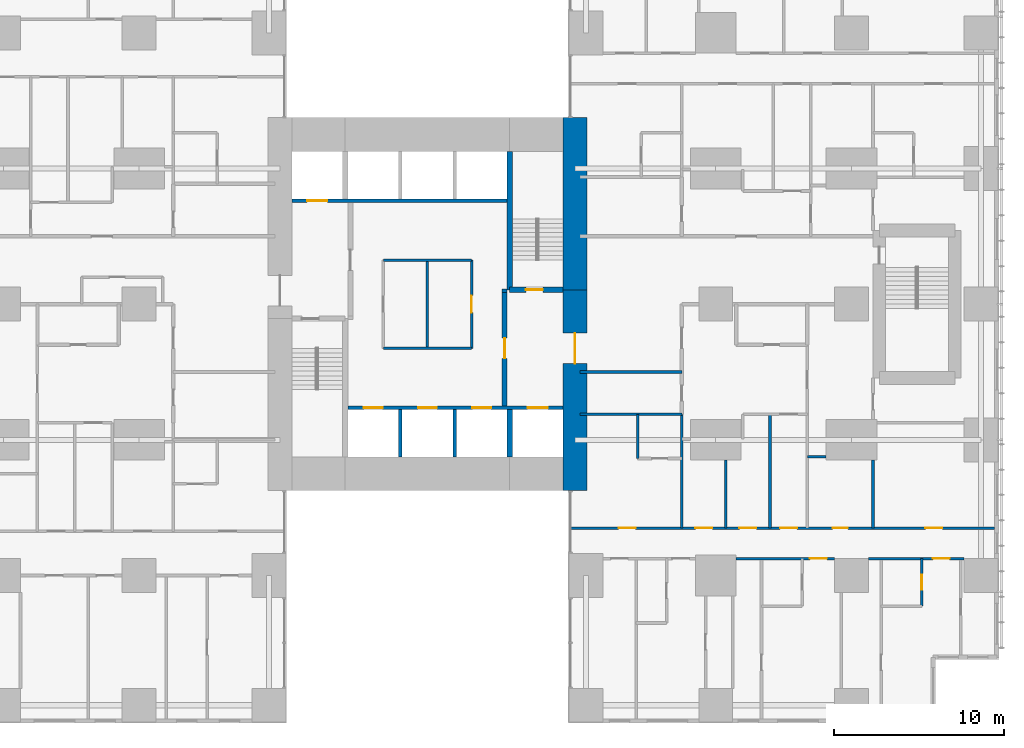
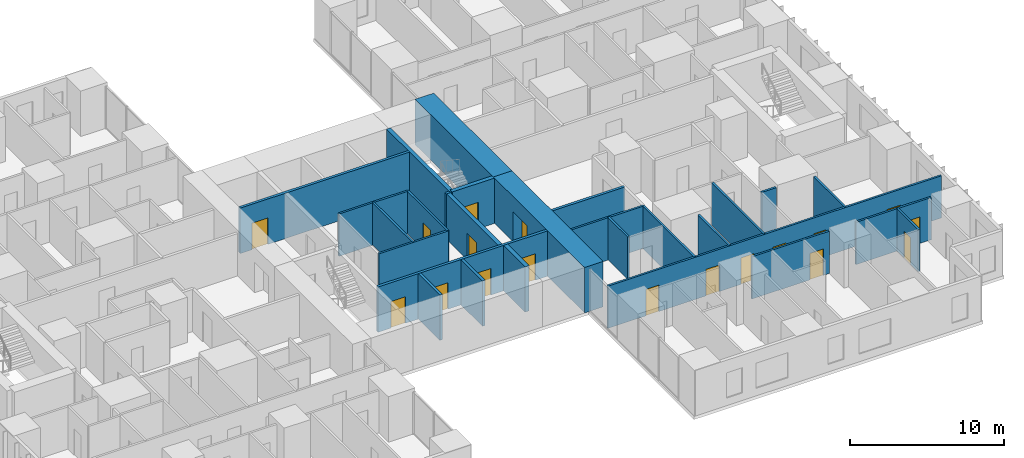
# One storey, part 15 of 20: 27 walls, 18 doors, 18 openings.
"""IFC4 building model written with IfcOpenShell, lengths in metres."""

from ifc_helpers import new_model, si_unit, direction, frame, frame_2d, origin, place, context, subcontext, project, spatial, rectangle, extrude, material, layer, layer_set, type_object, element, fill, save


model = new_model("IFC4")

# Units and contexts
model_context = context("Model", 3, precision=1e-05, world=origin(), true_north=direction((0.0, 1.0)))
body_context = subcontext(model_context, "Body", "Model", "MODEL_VIEW")
ifc_project = project(units=[si_unit("LENGTHUNIT", "METRE"), si_unit("AREAUNIT", "SQUARE_METRE"), si_unit("VOLUMEUNIT", "CUBIC_METRE"), si_unit("PLANEANGLEUNIT", "RADIAN"), si_unit("MASSUNIT", "GRAM", prefix="KILO")], contexts=[model_context])

# Site, building, storey
site_placement = place(None, origin())
site = spatial("IfcSite", under=ifc_project, at=site_placement, CompositionType="ELEMENT")
building_placement = place(site_placement, origin())
building = spatial("IfcBuilding", under=site, at=building_placement, Name="Cleftline Residences", CompositionType="ELEMENT")
storey_placement = place(building_placement, frame((0.0, 0.0, 54.800048828125)))
storey = spatial("IfcBuildingStorey", under=building, at=storey_placement, Name="L13", CompositionType="ELEMENT", Elevation=54.800048828125)

# Wall, opening, door
ifc_material_1 = material(Name="Concrete B70", Category="concrete")
ifc_layer_1 = layer(ifc_material_1, 1.39990234375)
ifc_layer_set_1 = layer_set([ifc_layer_1], Name="CORE WALL 1400")
wall_type_1 = type_object("IfcWallType", Name="CORE WALL 1400", PredefinedType="SHEAR", material=ifc_layer_set_1)
wall_1_placement = place(storey_placement, frame((41.699951171875, 13.0, 0.0), z_axis=(0.0, 0.0, 1.0), x_axis=(0.0, 1.0, 0.0)))
wall_1 = element("IfcWall", 1, at=wall_1_placement, inside=storey, type_object=wall_type_1, Name="Core wall E", PredefinedType="SHEAR", context=body_context, shape_type="SweptSolid", body=[
    extrude(rectangle(XDim=11.85009765625, YDim=1.39990234375, at=frame_2d((5.925048828125, 0.0))), origin(), (0.0, 0.0, 1.0), 3.599853515625),
])
opening_1_placement = place(wall_1_placement, frame((7.5, 0.0, 0.0)))
opening_1 = element("IfcOpeningElement", 2, at=opening_1_placement, cuts=wall_1, Name="Opening D7", PredefinedType="OPENING", context=body_context, shape_type="SweptSolid", body=[
    extrude(rectangle(XDim=1.800048828125, YDim=2.39990234375, at=frame_2d((0.89990234375, 1.199951171875))), frame((0.0, 0.7099609375, 0.0), z_axis=(0.0, -1.0, 0.0), x_axis=(1.0, 0.0, 0.0)), (0.0, 0.0, 1.0), 1.419921875),
])
ifc_material_2 = material(Name="Steel", Category="steel")
door_type_1 = type_object("IfcDoorType", Name="WING DOOR 1800X2400", OperationType="DOUBLE_DOOR_DOUBLE_SWING", PredefinedType="DOOR", material=ifc_material_2)
door_1_placement = place(opening_1_placement, origin())
door_1 = element("IfcDoor", 3, at=door_1_placement, inside=storey, type_object=door_type_1, Name="East wing door", OperationType="DOUBLE_DOOR_DOUBLE_SWING", OverallHeight=2.39990234375, OverallWidth=1.800048828125, PredefinedType="DOOR", context=body_context, shape_type="SweptSolid", body=[
    extrude(rectangle(XDim=1.800048828125, YDim=2.39990234375, at=frame_2d((0.89990234375, 1.199951171875))), frame((0.0, 0.02490234375, 0.0), z_axis=(0.0, -1.0, 0.0), x_axis=(1.0, 0.0, 0.0)), (0.0, 0.0, 1.0), 0.050048828125),
])
fill(opening_1, door_1)

# Walls
wall_2_placement = place(storey_placement, frame((41.699951171875, 24.85009765625, 0.0), z_axis=(0.0, 0.0, 1.0), x_axis=(0.0, 1.0, 0.0)))
element("IfcWall", 4, at=wall_2_placement, inside=storey, type_object=wall_type_1, Name="Core wall E1", PredefinedType="SHEAR", context=body_context, shape_type="SweptSolid", body=[
    extrude(rectangle(XDim=10.14990234375, YDim=1.39990234375, at=frame_2d((5.074951171875, 0.0))), origin(), (0.0, 0.0, 1.0), 3.599853515625),
])
ifc_material_3 = material(Name="Concrete B70", Category="concrete")
ifc_layer_2 = layer(ifc_material_3, 0.300048828125)
ifc_layer_set_2 = layer_set([ifc_layer_2], Name="CORE WALL 300")
wall_type_2 = type_object("IfcWallType", Name="CORE WALL 300", PredefinedType="SHEAR", material=ifc_layer_set_2)
wall_3_placement = place(storey_placement, frame((37.85009765625, 24.85009765625, 0.0), z_axis=(0.0, 0.0, 1.0), x_axis=(0.0, 1.0, 0.0)))
element("IfcWall", 5, at=wall_3_placement, inside=storey, type_object=wall_type_2, Name="Core wall SB-W", PredefinedType="SHEAR", context=body_context, shape_type="SweptSolid", body=[
    extrude(rectangle(XDim=8.14990234375, YDim=0.300048828125, at=frame_2d((4.074951171875, 0.0))), origin(), (0.0, 0.0, 1.0), 3.599853515625),
])

# Wall, opening, door
wall_4_placement = place(storey_placement, frame((37.85009765625, 24.85009765625, 0.0), z_axis=(0.0, 0.0, 1.0), x_axis=(1.0, 0.0, 0.0)))
wall_4 = element("IfcWall", 6, at=wall_4_placement, inside=storey, type_object=wall_type_2, Name="Core wall SB-S", PredefinedType="SHEAR", context=body_context, shape_type="SweptSolid", body=[
    extrude(rectangle(XDim=3.14990234375, YDim=0.300048828125, at=frame_2d((1.574951171875, 0.0))), origin(), (0.0, 0.0, 1.0), 3.599853515625),
])
opening_2_placement = place(wall_4_placement, frame((0.949951171875, 0.0, 0.0)))
opening_2 = element("IfcOpeningElement", 7, at=opening_2_placement, cuts=wall_4, Name="Opening D5", PredefinedType="OPENING", context=body_context, shape_type="SweptSolid", body=[
    extrude(rectangle(XDim=1.0, YDim=2.10009765625, at=frame_2d((0.5, 1.050048828125))), frame((0.0, 0.159912109375, 0.0), z_axis=(0.0, -1.0, 0.0), x_axis=(1.0, 0.0, 0.0)), (0.0, 0.0, 1.0), 0.320068359375),
])
ifc_material_4 = material(Name="Steel", Category="steel")
door_type_2 = type_object("IfcDoorType", Name="STAIR DOOR 1000X2100", OperationType="SINGLE_SWING_LEFT", PredefinedType="DOOR", material=ifc_material_4)
door_2_placement = place(opening_2_placement, origin())
door_2 = element("IfcDoor", 8, at=door_2_placement, inside=storey, type_object=door_type_2, Name="Stair B door", OperationType="SINGLE_SWING_RIGHT", OverallHeight=2.10009765625, OverallWidth=1.0, PredefinedType="DOOR", context=body_context, shape_type="SweptSolid", body=[
    extrude(rectangle(XDim=1.0, YDim=2.10009765625, at=frame_2d((0.5, 1.050048828125))), frame((0.0, 0.02490234375, 0.0), z_axis=(0.0, -1.0, 0.0), x_axis=(1.0, 0.0, 0.0)), (0.0, 0.0, 1.0), 0.050048828125),
])
fill(opening_2, door_2)

# Walls
wall_5_placement = place(storey_placement, frame((37.85009765625, 15.0, 0.0), z_axis=(0.0, 0.0, 1.0), x_axis=(0.0, 1.0, 0.0)))
element("IfcWall", 9, at=wall_5_placement, inside=storey, type_object=wall_type_2, Name="Lift shaft wall", PredefinedType="SHEAR", context=body_context, shape_type="SweptSolid", body=[
    extrude(rectangle(XDim=2.800048828125, YDim=0.300048828125, at=frame_2d((1.39990234375, 0.0))), origin(), (0.0, 0.0, 1.0), 3.599853515625),
])
ifc_material_5 = material(Name="Concrete blockwork, fire rated", Category="masonry")
ifc_layer_3 = layer(ifc_material_5, 0.199951171875)
ifc_layer_set_3 = layer_set([ifc_layer_3], Name="FIRE WALL 200")
wall_type_3 = type_object("IfcWallType", Name="FIRE WALL 200", PredefinedType="PARTITIONING", material=ifc_layer_set_3)
wall_6_placement = place(storey_placement, frame((42.0, 20.0, 0.0), z_axis=(0.0, 0.0, 1.0), x_axis=(1.0, 0.0, 0.0)))
element("IfcWall", 10, at=wall_6_placement, inside=storey, type_object=wall_type_3, Name="Fire separating wall", PredefinedType="PARTITIONING", context=body_context, shape_type="SweptSolid", body=[
    extrude(rectangle(XDim=6.0, YDim=0.199951171875, at=frame_2d((3.0, 0.0))), origin(), (0.0, 0.0, 1.0), 3.349853515625),
])
wall_7_placement = place(storey_placement, frame((37.39990234375, 24.800048828125, 0.0), z_axis=(0.0, 0.0, 1.0), x_axis=(1.0, 0.0, 0.0)))
element("IfcWall", 11, at=wall_7_placement, inside=storey, type_object=wall_type_3, Name="Fire separating wall", PredefinedType="PARTITIONING", context=body_context, shape_type="SweptSolid", body=[
    extrude(rectangle(XDim=0.300048828125, YDim=0.199951171875, at=frame_2d((0.14990234375, 0.0))), origin(), (0.0, 0.0, 1.0), 3.599853515625),
])

# Wall, opening, door
ifc_material_6 = material(Name="Gypsum board on steel studs", Category="steel")
ifc_layer_4 = layer(ifc_material_6, 0.14990234375)
ifc_layer_set_4 = layer_set([ifc_layer_4], Name="PARTITION 150")
wall_type_4 = type_object("IfcWallType", Name="PARTITION 150", PredefinedType="PARTITIONING", material=ifc_layer_set_4)
wall_8_placement = place(storey_placement, frame((51.199951171875, 9.0, 0.0), z_axis=(0.0, 0.0, 1.0), x_axis=(1.0, 0.0, 0.0)))
wall_8 = element("IfcWall", 12, at=wall_8_placement, inside=storey, type_object=wall_type_4, Name="Partition", PredefinedType="PARTITIONING", context=body_context, shape_type="SweptSolid", body=[
    extrude(rectangle(XDim=5.800048828125, YDim=0.14990234375, at=frame_2d((2.89990234375, 0.0))), origin(), (0.0, 0.0, 1.0), 3.349853515625),
])
opening_3_placement = place(wall_8_placement, frame((4.35009765625, 0.0, 0.0)))
opening_3 = element("IfcOpeningElement", 13, at=opening_3_placement, cuts=wall_8, Name="Opening D2", PredefinedType="OPENING", context=body_context, shape_type="SweptSolid", body=[
    extrude(rectangle(XDim=1.0, YDim=2.10009765625, at=frame_2d((0.5, 1.050048828125))), frame((0.0, 0.0849609375, 0.0), z_axis=(0.0, -1.0, 0.0), x_axis=(1.0, 0.0, 0.0)), (0.0, 0.0, 1.0), 0.169921875),
])
ifc_material_7 = material(Name="Timber veneer on solid core", Category="wood")
door_type_3 = type_object("IfcDoorType", Name="DOOR 1000X2100", OperationType="SINGLE_SWING_LEFT", PredefinedType="DOOR", material=ifc_material_7)
door_3_placement = place(opening_3_placement, origin())
door_3 = element("IfcDoor", 14, at=door_3_placement, inside=storey, type_object=door_type_3, Name="Door to bedroom 3", OperationType="SINGLE_SWING_LEFT", OverallHeight=2.10009765625, OverallWidth=1.0, PredefinedType="DOOR", context=body_context, shape_type="SweptSolid", body=[
    extrude(rectangle(XDim=1.0, YDim=2.10009765625, at=frame_2d((0.5, 1.050048828125))), frame((0.0, 0.02490234375, 0.0), z_axis=(0.0, -1.0, 0.0), x_axis=(1.0, 0.0, 0.0)), (0.0, 0.0, 1.0), 0.050048828125),
])
fill(opening_3, door_3)

wall_9_placement = place(storey_placement, frame((59.0, 9.0, 0.0), z_axis=(0.0, 0.0, 1.0), x_axis=(1.0, 0.0, 0.0)))
wall_9 = element("IfcWall", 15, at=wall_9_placement, inside=storey, type_object=wall_type_4, Name="Partition", PredefinedType="PARTITIONING", context=body_context, shape_type="SweptSolid", body=[
    extrude(rectangle(XDim=5.64990234375, YDim=0.14990234375, at=frame_2d((2.824951171875, 0.0))), origin(), (0.0, 0.0, 1.0), 3.349853515625),
])
opening_4_placement = place(wall_9_placement, frame((3.800048828125, 0.0, 0.0)))
opening_4 = element("IfcOpeningElement", 16, at=opening_4_placement, cuts=wall_9, Name="Opening D2", PredefinedType="OPENING", context=body_context, shape_type="SweptSolid", body=[
    extrude(rectangle(XDim=1.0, YDim=2.10009765625, at=frame_2d((0.5, 1.050048828125))), frame((0.0, 0.0849609375, 0.0), z_axis=(0.0, -1.0, 0.0), x_axis=(1.0, 0.0, 0.0)), (0.0, 0.0, 1.0), 0.169921875),
])
door_4_placement = place(opening_4_placement, origin())
door_4 = element("IfcDoor", 17, at=door_4_placement, inside=storey, type_object=door_type_3, Name="Door to bedroom 2", OperationType="SINGLE_SWING_LEFT", OverallHeight=2.10009765625, OverallWidth=1.0, PredefinedType="DOOR", context=body_context, shape_type="SweptSolid", body=[
    extrude(rectangle(XDim=1.0, YDim=2.10009765625, at=frame_2d((0.5, 1.050048828125))), frame((0.0, 0.02490234375, 0.0), z_axis=(0.0, -1.0, 0.0), x_axis=(1.0, 0.0, 0.0)), (0.0, 0.0, 1.0), 0.050048828125),
])
fill(opening_4, door_4)

# Wall, openings, doors
wall_10_placement = place(storey_placement, frame((41.43896484375, 10.800048828125, 0.0), z_axis=(0.0, 0.0, 1.0), x_axis=(1.0, 0.0, 0.0)))
wall_10 = element("IfcWall", 18, at=wall_10_placement, inside=storey, type_object=wall_type_4, Name="Partition", PredefinedType="PARTITIONING", context=body_context, shape_type="SweptSolid", body=[
    extrude(rectangle(XDim=25.010986328125, YDim=0.14990234375, at=frame_2d((12.50537109375, 0.0))), origin(), (0.0, 0.0, 1.0), 3.349853515625),
])
opening_5_placement = place(wall_10_placement, frame((12.361083984375, 0.0, 0.0)))
opening_5 = element("IfcOpeningElement", 19, at=opening_5_placement, cuts=wall_10, Name="Opening D2", PredefinedType="OPENING", context=body_context, shape_type="SweptSolid", body=[
    extrude(rectangle(XDim=1.0, YDim=2.10009765625, at=frame_2d((0.5, 1.050048828125))), frame((0.0, 0.0849609375, 0.0), z_axis=(0.0, -1.0, 0.0), x_axis=(1.0, 0.0, 0.0)), (0.0, 0.0, 1.0), 0.169921875),
])
opening_6_placement = place(wall_10_placement, frame((20.923583984375, 0.0, 0.0)))
opening_6 = element("IfcOpeningElement", 20, at=opening_6_placement, cuts=wall_10, Name="Opening D2", PredefinedType="OPENING", context=body_context, shape_type="SweptSolid", body=[
    extrude(rectangle(XDim=1.0, YDim=2.10009765625, at=frame_2d((0.5, 1.050048828125))), frame((0.0, 0.0849609375, 0.0), z_axis=(0.0, -1.0, 0.0), x_axis=(1.0, 0.0, 0.0)), (0.0, 0.0, 1.0), 0.169921875),
])
opening_7_placement = place(wall_10_placement, frame((15.448486328125, 0.0, 0.0)))
opening_7 = element("IfcOpeningElement", 21, at=opening_7_placement, cuts=wall_10, Name="Opening D1", PredefinedType="OPENING", context=body_context, shape_type="SweptSolid", body=[
    extrude(rectangle(XDim=0.89990234375, YDim=2.10009765625, at=frame_2d((0.449951171875, 1.050048828125))), frame((0.0, 0.0849609375, 0.0), z_axis=(0.0, -1.0, 0.0), x_axis=(1.0, 0.0, 0.0)), (0.0, 0.0, 1.0), 0.169921875),
])
opening_8_placement = place(wall_10_placement, frame((9.9609375, 0.0, 0.0)))
opening_8 = element("IfcOpeningElement", 22, at=opening_8_placement, cuts=wall_10, Name="Opening D2", PredefinedType="OPENING", context=body_context, shape_type="SweptSolid", body=[
    extrude(rectangle(XDim=1.0, YDim=2.10009765625, at=frame_2d((0.5, 1.050048828125))), frame((0.0, 0.0849609375, 0.0), z_axis=(0.0, -1.0, 0.0), x_axis=(1.0, 0.0, 0.0)), (0.0, 0.0, 1.0), 0.169921875),
])
opening_9_placement = place(wall_10_placement, frame((7.361083984375, 0.0, 0.0)))
opening_9 = element("IfcOpeningElement", 23, at=opening_9_placement, cuts=wall_10, Name="Opening D2", PredefinedType="OPENING", context=body_context, shape_type="SweptSolid", body=[
    extrude(rectangle(XDim=1.0, YDim=2.10009765625, at=frame_2d((0.5, 1.050048828125))), frame((0.0, 0.0849609375, 0.0), z_axis=(0.0, -1.0, 0.0), x_axis=(1.0, 0.0, 0.0)), (0.0, 0.0, 1.0), 0.169921875),
])
opening_10_placement = place(wall_10_placement, frame((2.8359375, 0.0, 0.0)))
opening_10 = element("IfcOpeningElement", 24, at=opening_10_placement, cuts=wall_10, Name="Opening D2", PredefinedType="OPENING", context=body_context, shape_type="SweptSolid", body=[
    extrude(rectangle(XDim=1.0, YDim=2.10009765625, at=frame_2d((0.5, 1.050048828125))), frame((0.0, 0.0849609375, 0.0), z_axis=(0.0, -1.0, 0.0), x_axis=(1.0, 0.0, 0.0)), (0.0, 0.0, 1.0), 0.169921875),
])
door_5_placement = place(opening_5_placement, origin())
door_5 = element("IfcDoor", 25, at=door_5_placement, inside=storey, type_object=door_type_3, Name="Door to residence hall", OperationType="SINGLE_SWING_LEFT", OverallHeight=2.10009765625, OverallWidth=1.0, PredefinedType="DOOR", context=body_context, shape_type="SweptSolid", body=[
    extrude(rectangle(XDim=1.0, YDim=2.10009765625, at=frame_2d((0.5, 1.050048828125))), frame((0.0, 0.02490234375, 0.0), z_axis=(0.0, -1.0, 0.0), x_axis=(1.0, 0.0, 0.0)), (0.0, 0.0, 1.0), 0.050048828125),
])
fill(opening_5, door_5)
door_6_placement = place(opening_6_placement, origin())
door_6 = element("IfcDoor", 26, at=door_6_placement, inside=storey, type_object=door_type_3, Name="Door to sea-view living and dining room", OperationType="SINGLE_SWING_LEFT", OverallHeight=2.10009765625, OverallWidth=1.0, PredefinedType="DOOR", context=body_context, shape_type="SweptSolid", body=[
    extrude(rectangle(XDim=1.0, YDim=2.10009765625, at=frame_2d((0.5, 1.050048828125))), frame((0.0, 0.02490234375, 0.0), z_axis=(0.0, -1.0, 0.0), x_axis=(1.0, 0.0, 0.0)), (0.0, 0.0, 1.0), 0.050048828125),
])
fill(opening_6, door_6)
door_7_placement = place(opening_8_placement, origin())
door_7 = element("IfcDoor", 27, at=door_7_placement, inside=storey, type_object=door_type_3, Name="Door to show kitchen", OperationType="SINGLE_SWING_RIGHT", OverallHeight=2.10009765625, OverallWidth=1.0, PredefinedType="DOOR", context=body_context, shape_type="SweptSolid", body=[
    extrude(rectangle(XDim=1.0, YDim=2.10009765625, at=frame_2d((0.5, 1.050048828125))), frame((0.0, 0.02490234375, 0.0), z_axis=(0.0, -1.0, 0.0), x_axis=(1.0, 0.0, 0.0)), (0.0, 0.0, 1.0), 0.050048828125),
])
fill(opening_8, door_7)
door_8_placement = place(opening_9_placement, origin())
door_8 = element("IfcDoor", 28, at=door_8_placement, inside=storey, type_object=door_type_3, Name="Door to wet kitchen", OperationType="SINGLE_SWING_RIGHT", OverallHeight=2.10009765625, OverallWidth=1.0, PredefinedType="DOOR", context=body_context, shape_type="SweptSolid", body=[
    extrude(rectangle(XDim=1.0, YDim=2.10009765625, at=frame_2d((0.5, 1.050048828125))), frame((0.0, 0.02490234375, 0.0), z_axis=(0.0, -1.0, 0.0), x_axis=(1.0, 0.0, 0.0)), (0.0, 0.0, 1.0), 0.050048828125),
])
fill(opening_9, door_8)
door_9_placement = place(opening_10_placement, origin())
door_9 = element("IfcDoor", 29, at=door_9_placement, inside=storey, type_object=door_type_3, Name="Door to master bedroom", OperationType="SINGLE_SWING_RIGHT", OverallHeight=2.10009765625, OverallWidth=1.0, PredefinedType="DOOR", context=body_context, shape_type="SweptSolid", body=[
    extrude(rectangle(XDim=1.0, YDim=2.10009765625, at=frame_2d((0.5, 1.050048828125))), frame((0.0, 0.02490234375, 0.0), z_axis=(0.0, -1.0, 0.0), x_axis=(1.0, 0.0, 0.0)), (0.0, 0.0, 1.0), 0.050048828125),
])
fill(opening_10, door_9)
ifc_material_8 = material(Name="Timber veneer on solid core", Category="wood")
door_type_4 = type_object("IfcDoorType", Name="DOOR 900X2100", OperationType="SINGLE_SWING_LEFT", PredefinedType="DOOR", material=ifc_material_8)
door_10_placement = place(opening_7_placement, origin())
door_10 = element("IfcDoor", 30, at=door_10_placement, inside=storey, type_object=door_type_4, Name="Door to store room", OperationType="SINGLE_SWING_LEFT", OverallHeight=2.10009765625, OverallWidth=0.89990234375, PredefinedType="DOOR", context=body_context, shape_type="SweptSolid", body=[
    extrude(rectangle(XDim=0.89990234375, YDim=2.10009765625, at=frame_2d((0.449951171875, 1.050048828125))), frame((0.0, 0.02490234375, 0.0), z_axis=(0.0, -1.0, 0.0), x_axis=(1.0, 0.0, 0.0)), (0.0, 0.0, 1.0), 0.050048828125),
])
fill(opening_7, door_10)

# Walls
wall_11_placement = place(storey_placement, frame((55.39990234375, 15.0, 0.0), z_axis=(0.0, 0.0, 1.0), x_axis=(1.0, 0.0, 0.0)))
element("IfcWall", 31, at=wall_11_placement, inside=storey, type_object=wall_type_4, Name="Partition", PredefinedType="PARTITIONING", context=body_context, shape_type="SweptSolid", body=[
    extrude(rectangle(XDim=1.10009765625, YDim=0.14990234375, at=frame_2d((0.550048828125, 0.0))), origin(), (0.0, 0.0, 1.0), 3.349853515625),
])
wall_12_placement = place(storey_placement, frame((42.0, 17.5, 0.0), z_axis=(0.0, 0.0, 1.0), x_axis=(1.0, 0.0, 0.0)))
element("IfcWall", 32, at=wall_12_placement, inside=storey, type_object=wall_type_4, Name="Partition", PredefinedType="PARTITIONING", context=body_context, shape_type="SweptSolid", body=[
    extrude(rectangle(XDim=6.0, YDim=0.14990234375, at=frame_2d((3.0, 0.0))), origin(), (0.0, 0.0, 1.0), 3.349853515625),
])
wall_13_placement = place(storey_placement, frame((45.39990234375, 14.89990234375, 0.0), z_axis=(0.0, 0.0, 1.0), x_axis=(0.0, 1.0, 0.0)))
element("IfcWall", 33, at=wall_13_placement, inside=storey, type_object=wall_type_4, Name="Partition", PredefinedType="PARTITIONING", context=body_context, shape_type="SweptSolid", body=[
    extrude(rectangle(XDim=2.60009765625, YDim=0.14990234375, at=frame_2d((1.300048828125, 0.0))), origin(), (0.0, 0.0, 1.0), 3.349853515625),
])
wall_14_placement = place(storey_placement, frame((48.0, 10.800048828125, 0.0), z_axis=(0.0, 0.0, 1.0), x_axis=(0.0, 1.0, 0.0)))
element("IfcWall", 34, at=wall_14_placement, inside=storey, type_object=wall_type_4, Name="Partition", PredefinedType="PARTITIONING", context=body_context, shape_type="SweptSolid", body=[
    extrude(rectangle(XDim=6.699951171875, YDim=0.14990234375, at=frame_2d((3.35009765625, 0.0))), origin(), (0.0, 0.0, 1.0), 3.349853515625),
])
wall_15_placement = place(storey_placement, frame((50.60009765625, 10.800048828125, 0.0), z_axis=(0.0, 0.0, 1.0), x_axis=(0.0, 1.0, 0.0)))
element("IfcWall", 35, at=wall_15_placement, inside=storey, type_object=wall_type_4, Name="Partition", PredefinedType="PARTITIONING", context=body_context, shape_type="SweptSolid", body=[
    extrude(rectangle(XDim=4.0, YDim=0.14990234375, at=frame_2d((2.0, 0.0))), origin(), (0.0, 0.0, 1.0), 3.349853515625),
])
wall_16_placement = place(storey_placement, frame((53.199951171875, 10.800048828125, 0.0), z_axis=(0.0, 0.0, 1.0), x_axis=(0.0, 1.0, 0.0)))
element("IfcWall", 36, at=wall_16_placement, inside=storey, type_object=wall_type_4, Name="Partition", PredefinedType="PARTITIONING", context=body_context, shape_type="SweptSolid", body=[
    extrude(rectangle(XDim=6.699951171875, YDim=0.14990234375, at=frame_2d((3.35009765625, 0.0))), origin(), (0.0, 0.0, 1.0), 3.349853515625),
])
wall_17_placement = place(storey_placement, frame((59.27490234375, 10.800048828125, 0.0), z_axis=(0.0, 0.0, 1.0), x_axis=(0.0, 1.0, 0.0)))
element("IfcWall", 37, at=wall_17_placement, inside=storey, type_object=wall_type_4, Name="Partition", PredefinedType="PARTITIONING", context=body_context, shape_type="SweptSolid", body=[
    extrude(rectangle(XDim=4.0, YDim=0.14990234375, at=frame_2d((2.0, 0.0))), origin(), (0.0, 0.0, 1.0), 3.349853515625),
])

# Wall, opening, door
wall_18_placement = place(storey_placement, frame((62.14990234375, 6.199951171875, 0.0), z_axis=(0.0, 0.0, 1.0), x_axis=(0.0, 1.0, 0.0)))
wall_18 = element("IfcWall", 38, at=wall_18_placement, inside=storey, type_object=wall_type_4, Name="Partition", PredefinedType="PARTITIONING", context=body_context, shape_type="SweptSolid", body=[
    extrude(rectangle(XDim=2.800048828125, YDim=0.14990234375, at=frame_2d((1.39990234375, 0.0))), origin(), (0.0, 0.0, 1.0), 3.349853515625),
])
opening_11_placement = place(wall_18_placement, frame((0.949951171875, 0.0, 0.0)))
opening_11 = element("IfcOpeningElement", 39, at=opening_11_placement, cuts=wall_18, Name="Opening D1", PredefinedType="OPENING", context=body_context, shape_type="SweptSolid", body=[
    extrude(rectangle(XDim=0.89990234375, YDim=2.10009765625, at=frame_2d((0.449951171875, 1.050048828125))), frame((0.0, 0.0849609375, 0.0), z_axis=(0.0, -1.0, 0.0), x_axis=(1.0, 0.0, 0.0)), (0.0, 0.0, 1.0), 0.169921875),
])
door_11_placement = place(opening_11_placement, origin())
door_11 = element("IfcDoor", 40, at=door_11_placement, inside=storey, type_object=door_type_4, Name="Door to en-suite bathroom 2", OperationType="SINGLE_SWING_LEFT", OverallHeight=2.10009765625, OverallWidth=0.89990234375, PredefinedType="DOOR", context=body_context, shape_type="SweptSolid", body=[
    extrude(rectangle(XDim=0.89990234375, YDim=2.10009765625, at=frame_2d((0.449951171875, 1.050048828125))), frame((0.0, 0.02490234375, 0.0), z_axis=(0.0, -1.0, 0.0), x_axis=(1.0, 0.0, 0.0)), (0.0, 0.0, 1.0), 0.050048828125),
])
fill(opening_11, door_11)

# Walls
ifc_material_9 = material(Name="Fire-resisting gypsum board on steel studs", Category="steel")
ifc_layer_5 = layer(ifc_material_9, 0.14990234375)
ifc_layer_set_5 = layer_set([ifc_layer_5], Name="PARTITION 150 EI 60")
wall_type_5 = type_object("IfcWallType", Name="PARTITION 150 EI 60", PredefinedType="PARTITIONING", material=ifc_layer_set_5)
for number, where, z_axis, x_axis, name in (
    (41, (30.39990234375, 21.39990234375, 0.0), (0.0, 0.0, 1.0), (1.0, 0.0, 0.0), "Core room partition"),
    (42, (30.39990234375, 26.60009765625, 0.0), (0.0, 0.0, 1.0), (1.0, 0.0, 0.0), "Core room partition"),
):
    element("IfcWall", number, at=place(storey_placement, frame(where, z_axis=z_axis, x_axis=x_axis)), inside=storey, type_object=wall_type_5, Name=name, PredefinedType="PARTITIONING", context=body_context, shape_type="SweptSolid", body=[
        extrude(rectangle(XDim=5.2001953125, YDim=0.14990234375, at=frame_2d((2.60009765625, 0.0))), origin(), (0.0, 0.0, 1.0), 3.349853515625),
    ])

# Wall, opening, door
wall_19_placement = place(storey_placement, frame((35.60009765625, 21.39990234375, 0.0), z_axis=(0.0, 0.0, 1.0), x_axis=(0.0, 1.0, 0.0)))
wall_19 = element("IfcWall", 43, at=wall_19_placement, inside=storey, type_object=wall_type_5, Name="Core room partition", PredefinedType="PARTITIONING", context=body_context, shape_type="SweptSolid", body=[
    extrude(rectangle(XDim=5.2001953125, YDim=0.14990234375, at=frame_2d((2.60009765625, 0.0))), origin(), (0.0, 0.0, 1.0), 3.349853515625),
])
opening_12_placement = place(wall_19_placement, frame((2.10009765625, 0.0, 0.0)))
opening_12 = element("IfcOpeningElement", 44, at=opening_12_placement, cuts=wall_19, Name="Opening D2F60", PredefinedType="OPENING", context=body_context, shape_type="SweptSolid", body=[
    extrude(rectangle(XDim=1.0, YDim=2.10009765625, at=frame_2d((0.5, 1.050048828125))), frame((0.0, 0.0849609375, 0.0), z_axis=(0.0, -1.0, 0.0), x_axis=(1.0, 0.0, 0.0)), (0.0, 0.0, 1.0), 0.169921875),
])
ifc_material_10 = material(Name="Timber veneer on solid core", Category="wood")
door_type_5 = type_object("IfcDoorType", Name="DOOR 1000X2100 EI 60", OperationType="SINGLE_SWING_LEFT", PredefinedType="DOOR", material=ifc_material_10)
door_12_placement = place(opening_12_placement, origin())
door_12 = element("IfcDoor", 45, at=door_12_placement, inside=storey, type_object=door_type_5, Name="Door to communications room", OperationType="SINGLE_SWING_LEFT", OverallHeight=2.10009765625, OverallWidth=1.0, PredefinedType="DOOR", context=body_context, shape_type="SweptSolid", body=[
    extrude(rectangle(XDim=1.0, YDim=2.10009765625, at=frame_2d((0.5, 1.050048828125))), frame((0.0, 0.02490234375, 0.0), z_axis=(0.0, -1.0, 0.0), x_axis=(1.0, 0.0, 0.0)), (0.0, 0.0, 1.0), 0.050048828125),
])
fill(opening_12, door_12)

# Wall
wall_20_placement = place(storey_placement, frame((33.0, 21.39990234375, 0.0), z_axis=(0.0, 0.0, 1.0), x_axis=(0.0, 1.0, 0.0)))
element("IfcWall", 46, at=wall_20_placement, inside=storey, type_object=wall_type_5, Name="Core room partition", PredefinedType="PARTITIONING", context=body_context, shape_type="SweptSolid", body=[
    extrude(rectangle(XDim=5.2001953125, YDim=0.14990234375, at=frame_2d((2.60009765625, 0.0))), origin(), (0.0, 0.0, 1.0), 3.349853515625),
])

# Wall, openings, doors
ifc_material_11 = material(Name="Concrete blockwork, fire rated", Category="masonry")
ifc_layer_6 = layer(ifc_material_11, 0.199951171875)
ifc_layer_set_6 = layer_set([ifc_layer_6], Name="SHAFT WALL 200")
wall_type_6 = type_object("IfcWallType", Name="SHAFT WALL 200", PredefinedType="PARTITIONING", material=ifc_layer_set_6)
wall_21_placement = place(storey_placement, frame((28.300048828125, 17.89990234375, 0.0), z_axis=(0.0, 0.0, 1.0), x_axis=(1.0, 0.0, 0.0)))
wall_21 = element("IfcWall", 47, at=wall_21_placement, inside=storey, type_object=wall_type_6, Name="Lift shaft wall", PredefinedType="PARTITIONING", context=body_context, shape_type="SweptSolid", body=[
    extrude(rectangle(XDim=12.699951171875, YDim=0.199951171875, at=frame_2d((6.35009765625, 0.0))), origin(), (0.0, 0.0, 1.0), 3.599853515625),
])
opening_13_placement = place(wall_21_placement, frame((0.949951171875, 0.0, 0.0)))
opening_13 = element("IfcOpeningElement", 48, at=opening_13_placement, cuts=wall_21, Name="Opening LD1", PredefinedType="OPENING", context=body_context, shape_type="SweptSolid", body=[
    extrude(rectangle(XDim=1.10009765625, YDim=2.10009765625, at=frame_2d((0.550048828125, 1.050048828125))), frame((0.0, 0.10986328125, 0.0), z_axis=(0.0, -1.0, 0.0), x_axis=(1.0, 0.0, 0.0)), (0.0, 0.0, 1.0), 0.219970703125),
])
opening_14_placement = place(wall_21_placement, frame((4.14990234375, 0.0, 0.0)))
opening_14 = element("IfcOpeningElement", 49, at=opening_14_placement, cuts=wall_21, Name="Opening LD1", PredefinedType="OPENING", context=body_context, shape_type="SweptSolid", body=[
    extrude(rectangle(XDim=1.10009765625, YDim=2.10009765625, at=frame_2d((0.550048828125, 1.050048828125))), frame((0.0, 0.10986328125, 0.0), z_axis=(0.0, -1.0, 0.0), x_axis=(1.0, 0.0, 0.0)), (0.0, 0.0, 1.0), 0.219970703125),
])
opening_15_placement = place(wall_21_placement, frame((7.35009765625, 0.0, 0.0)))
opening_15 = element("IfcOpeningElement", 50, at=opening_15_placement, cuts=wall_21, Name="Opening LD1", PredefinedType="OPENING", context=body_context, shape_type="SweptSolid", body=[
    extrude(rectangle(XDim=1.10009765625, YDim=2.10009765625, at=frame_2d((0.550048828125, 1.050048828125))), frame((0.0, 0.10986328125, 0.0), z_axis=(0.0, -1.0, 0.0), x_axis=(1.0, 0.0, 0.0)), (0.0, 0.0, 1.0), 0.219970703125),
])
opening_16_placement = place(wall_21_placement, frame((10.60009765625, 0.0, 0.0)))
opening_16 = element("IfcOpeningElement", 51, at=opening_16_placement, cuts=wall_21, Name="Opening LD2", PredefinedType="OPENING", context=body_context, shape_type="SweptSolid", body=[
    extrude(rectangle(XDim=1.199951171875, YDim=2.10009765625, at=frame_2d((0.60009765625, 1.050048828125))), frame((0.0, 0.10986328125, 0.0), z_axis=(0.0, -1.0, 0.0), x_axis=(1.0, 0.0, 0.0)), (0.0, 0.0, 1.0), 0.219970703125),
])
ifc_material_12 = material(Name="Steel", Category="steel")
door_type_6 = type_object("IfcDoorType", Name="FIREFIGHTING LIFT LANDING DOOR 1200X2100", OperationType="SLIDING_TO_LEFT", PredefinedType="DOOR", material=ifc_material_12)
door_13_placement = place(opening_16_placement, origin())
door_13 = element("IfcDoor", 52, at=door_13_placement, inside=storey, type_object=door_type_6, Name="Lift FL2 landing door", OperationType="SLIDING_TO_LEFT", OverallHeight=2.10009765625, OverallWidth=1.199951171875, PredefinedType="DOOR", context=body_context, shape_type="SweptSolid", body=[
    extrude(rectangle(XDim=1.199951171875, YDim=2.10009765625, at=frame_2d((0.60009765625, 1.050048828125))), frame((0.0, 0.02490234375, 0.0), z_axis=(0.0, -1.0, 0.0), x_axis=(1.0, 0.0, 0.0)), (0.0, 0.0, 1.0), 0.050048828125),
])
fill(opening_16, door_13)
ifc_material_13 = material(Name="Steel", Category="steel")
door_type_7 = type_object("IfcDoorType", Name="LIFT LANDING DOOR 1100X2100", OperationType="SLIDING_TO_LEFT", PredefinedType="DOOR", material=ifc_material_13)
door_14_placement = place(opening_13_placement, origin())
door_14 = element("IfcDoor", 53, at=door_14_placement, inside=storey, type_object=door_type_7, Name="Lift P1 landing door", OperationType="SLIDING_TO_LEFT", OverallHeight=2.10009765625, OverallWidth=1.10009765625, PredefinedType="DOOR", context=body_context, shape_type="SweptSolid", body=[
    extrude(rectangle(XDim=1.10009765625, YDim=2.10009765625, at=frame_2d((0.550048828125, 1.050048828125))), frame((0.0, 0.02490234375, 0.0), z_axis=(0.0, -1.0, 0.0), x_axis=(1.0, 0.0, 0.0)), (0.0, 0.0, 1.0), 0.050048828125),
])
fill(opening_13, door_14)
door_15_placement = place(opening_14_placement, origin())
door_15 = element("IfcDoor", 54, at=door_15_placement, inside=storey, type_object=door_type_7, Name="Lift P2 landing door", OperationType="SLIDING_TO_LEFT", OverallHeight=2.10009765625, OverallWidth=1.10009765625, PredefinedType="DOOR", context=body_context, shape_type="SweptSolid", body=[
    extrude(rectangle(XDim=1.10009765625, YDim=2.10009765625, at=frame_2d((0.550048828125, 1.050048828125))), frame((0.0, 0.02490234375, 0.0), z_axis=(0.0, -1.0, 0.0), x_axis=(1.0, 0.0, 0.0)), (0.0, 0.0, 1.0), 0.050048828125),
])
fill(opening_14, door_15)
door_16_placement = place(opening_15_placement, origin())
door_16 = element("IfcDoor", 55, at=door_16_placement, inside=storey, type_object=door_type_7, Name="Lift P3 landing door", OperationType="SLIDING_TO_LEFT", OverallHeight=2.10009765625, OverallWidth=1.10009765625, PredefinedType="DOOR", context=body_context, shape_type="SweptSolid", body=[
    extrude(rectangle(XDim=1.10009765625, YDim=2.10009765625, at=frame_2d((0.550048828125, 1.050048828125))), frame((0.0, 0.02490234375, 0.0), z_axis=(0.0, -1.0, 0.0), x_axis=(1.0, 0.0, 0.0)), (0.0, 0.0, 1.0), 0.050048828125),
])
fill(opening_15, door_16)

# Wall, opening, door
wall_22_placement = place(storey_placement, frame((25.0, 30.10009765625, 0.0), z_axis=(0.0, 0.0, 1.0), x_axis=(1.0, 0.0, 0.0)))
wall_22 = element("IfcWall", 56, at=wall_22_placement, inside=storey, type_object=wall_type_6, Name="Lift shaft wall", PredefinedType="PARTITIONING", context=body_context, shape_type="SweptSolid", body=[
    extrude(rectangle(XDim=12.699951171875, YDim=0.199951171875, at=frame_2d((6.35009765625, 0.0))), origin(), (0.0, 0.0, 1.0), 3.599853515625),
])
opening_17_placement = place(wall_22_placement, frame((0.89990234375, 0.0, 0.0)))
opening_17 = element("IfcOpeningElement", 57, at=opening_17_placement, cuts=wall_22, Name="Opening LD2", PredefinedType="OPENING", context=body_context, shape_type="SweptSolid", body=[
    extrude(rectangle(XDim=1.199951171875, YDim=2.10009765625, at=frame_2d((0.60009765625, 1.050048828125))), frame((0.0, 0.10986328125, 0.0), z_axis=(0.0, -1.0, 0.0), x_axis=(1.0, 0.0, 0.0)), (0.0, 0.0, 1.0), 0.219970703125),
])
door_17_placement = place(opening_17_placement, origin())
door_17 = element("IfcDoor", 58, at=door_17_placement, inside=storey, type_object=door_type_6, Name="Lift FL1 landing door", OperationType="SLIDING_TO_LEFT", OverallHeight=2.10009765625, OverallWidth=1.199951171875, PredefinedType="DOOR", context=body_context, shape_type="SweptSolid", body=[
    extrude(rectangle(XDim=1.199951171875, YDim=2.10009765625, at=frame_2d((0.60009765625, 1.050048828125))), frame((0.0, 0.02490234375, 0.0), z_axis=(0.0, -1.0, 0.0), x_axis=(1.0, 0.0, 0.0)), (0.0, 0.0, 1.0), 0.050048828125),
])
fill(opening_17, door_17)

# Walls
for number, where, z_axis, x_axis, name in (
    (59, (31.39990234375, 15.0, 0.0), (0.0, 0.0, 1.0), (0.0, 1.0, 0.0), "Lift shaft wall"),
    (60, (34.60009765625, 15.0, 0.0), (0.0, 0.0, 1.0), (0.0, 1.0, 0.0), "Lift shaft wall"),
):
    element("IfcWall", number, at=place(storey_placement, frame(where, z_axis=z_axis, x_axis=x_axis)), inside=storey, type_object=wall_type_6, Name=name, PredefinedType="PARTITIONING", context=body_context, shape_type="SweptSolid", body=[
        extrude(rectangle(XDim=2.800048828125, YDim=0.199951171875, at=frame_2d((1.39990234375, 0.0))), origin(), (0.0, 0.0, 1.0), 3.599853515625),
    ])

# Wall, opening, door
ifc_material_14 = material(Name="Concrete blockwork, fire rated", Category="masonry")
ifc_layer_7 = layer(ifc_material_14, 0.300048828125)
ifc_layer_set_7 = layer_set([ifc_layer_7], Name="STAIR LOBBY WALL 300")
wall_type_7 = type_object("IfcWallType", Name="STAIR LOBBY WALL 300", PredefinedType="PARTITIONING", material=ifc_layer_set_7)
wall_23_placement = place(storey_placement, frame((37.550048828125, 18.0, 0.0), z_axis=(0.0, 0.0, 1.0), x_axis=(0.0, 1.0, 0.0)))
wall_23 = element("IfcWall", 61, at=wall_23_placement, inside=storey, type_object=wall_type_7, Name="Stair and lobby wall FB-W", PredefinedType="PARTITIONING", context=body_context, shape_type="SweptSolid", body=[
    extrude(rectangle(XDim=6.699951171875, YDim=0.300048828125, at=frame_2d((3.35009765625, 0.0))), origin(), (0.0, 0.0, 1.0), 3.599853515625),
])
opening_18_placement = place(wall_23_placement, frame((2.800048828125, 0.0, 0.0)))
opening_18 = element("IfcOpeningElement", 62, at=opening_18_placement, cuts=wall_23, Name="Opening D6", PredefinedType="OPENING", context=body_context, shape_type="SweptSolid", body=[
    extrude(rectangle(XDim=1.199951171875, YDim=2.10009765625, at=frame_2d((0.60009765625, 1.050048828125))), frame((0.0, 0.159912109375, 0.0), z_axis=(0.0, -1.0, 0.0), x_axis=(1.0, 0.0, 0.0)), (0.0, 0.0, 1.0), 0.320068359375),
])
ifc_material_15 = material(Name="Steel", Category="steel")
door_type_8 = type_object("IfcDoorType", Name="LOBBY DOOR 1200X2100", OperationType="SINGLE_SWING_RIGHT", PredefinedType="DOOR", material=ifc_material_15)
door_18_placement = place(opening_18_placement, origin())
door_18 = element("IfcDoor", 63, at=door_18_placement, inside=storey, type_object=door_type_8, Name="Firefighting lobby B door", OperationType="SINGLE_SWING_LEFT", OverallHeight=2.10009765625, OverallWidth=1.199951171875, PredefinedType="DOOR", context=body_context, shape_type="SweptSolid", body=[
    extrude(rectangle(XDim=1.199951171875, YDim=2.10009765625, at=frame_2d((0.60009765625, 1.050048828125))), frame((0.0, 0.02490234375, 0.0), z_axis=(0.0, -1.0, 0.0), x_axis=(1.0, 0.0, 0.0)), (0.0, 0.0, 1.0), 0.050048828125),
])
fill(opening_18, door_18)

save(model, "model.ifc")
